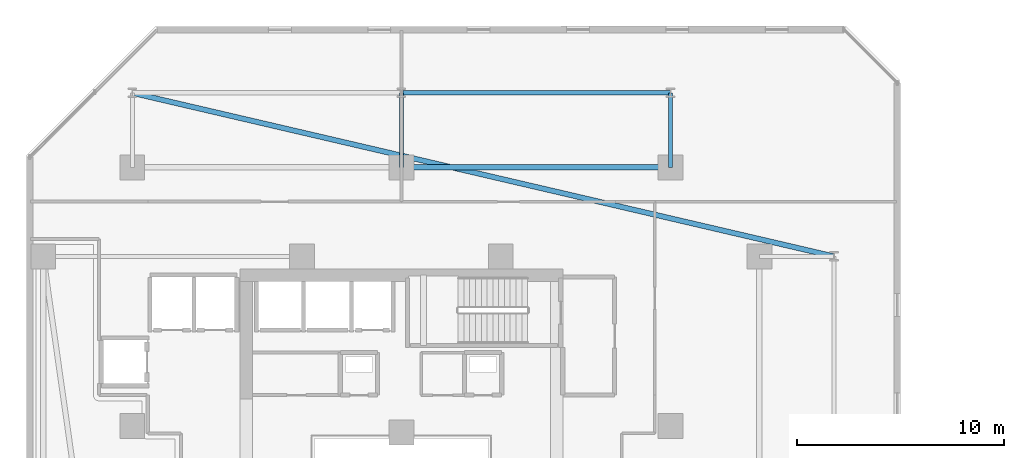
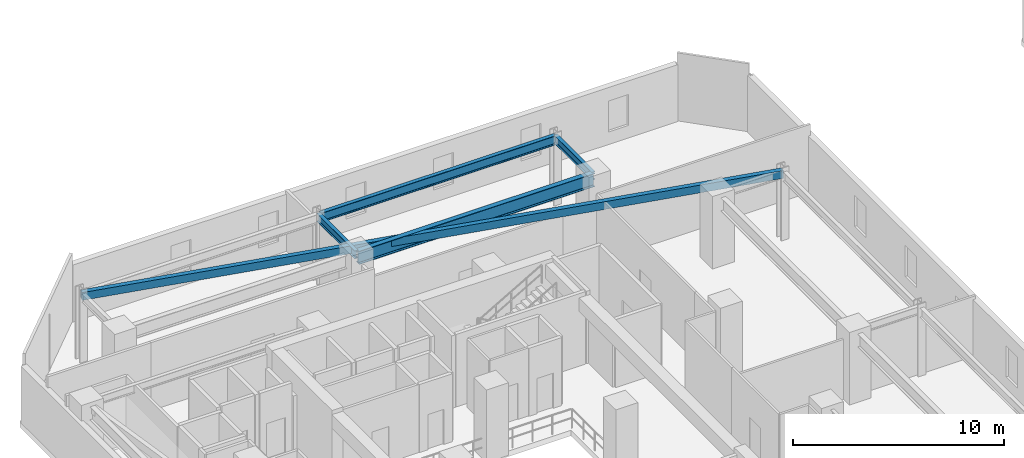
# One storey, part 9 of 30: 5 beams.
"""IFC4 building model written with IfcOpenShell, lengths in metres."""

from ifc_helpers import new_model, si_unit, direction, frame, origin, origin_2d, place, context, subcontext, project, spatial, hollow_rectangle, i_section, extrude, material, material_profile, profile_set, type_object, element, save


model = new_model("IFC4")

# Units and contexts
model_context = context("Model", 3, precision=1e-05, world=origin(), true_north=direction((0.0, 1.0)))
body_context = subcontext(model_context, "Body", "Model", "MODEL_VIEW")
ifc_project = project(units=[si_unit("LENGTHUNIT", "METRE"), si_unit("AREAUNIT", "SQUARE_METRE"), si_unit("VOLUMEUNIT", "CUBIC_METRE"), si_unit("PLANEANGLEUNIT", "RADIAN"), si_unit("MASSUNIT", "GRAM", prefix="KILO")], contexts=[model_context])

# Site, building, storey
site_placement = place(None, origin())
site = spatial("IfcSite", under=ifc_project, at=site_placement, CompositionType="ELEMENT")
building_placement = place(site_placement, origin())
building = spatial("IfcBuilding", under=site, at=building_placement, Name="Thornwick Lancets Civic Towers", CompositionType="ELEMENT")
storey_placement = place(building_placement, frame((0.0, 0.0, 75.89990234375)))
storey = spatial("IfcBuildingStorey", under=building, at=storey_placement, Name="L19", CompositionType="ELEMENT", Elevation=75.89990234375)

# Beams
ifc_material = material(Name="Steel S355JR", Category="steel")
ifc_material_profile_1 = material_profile(ifc_material, i_section(OverallWidth=0.2119140625, OverallDepth=0.54443359375, WebThickness=0.0126953125, FlangeThickness=0.021240234375, FilletRadius=0.0126953125, at=origin_2d()), Name="UKB 533x210x122")
ifc_profile_set_1 = profile_set([ifc_material_profile_1], Name="Steel S355JR")
beam_type_1 = type_object("IfcBeamType", Name="BM_EDGE_533_122", PredefinedType="SPANDREL", material=ifc_profile_set_1)
beam_1_placement = place(storey_placement, frame((25.580078125, 47.89990234375, 3.687744140625), z_axis=(1.0, 0.0, 0.0), x_axis=(0.0, 1.0, 0.0)))
element("IfcBeam", 1, at=beam_1_placement, inside=storey, type_object=beam_type_1, Name="BM-EDGE-L19-A-S2-2", PredefinedType="SPANDREL", context=body_context, shape_type="SweptSolid", body=[
    extrude(i_section(OverallWidth=0.2119140625, OverallDepth=0.54443359375, WebThickness=0.0126953125, FlangeThickness=0.021240234375, FilletRadius=0.0126953125, at=origin_2d()), origin(), (0.0, 0.0, 1.0), 12.919921875),
])
ifc_material_profile_2 = material_profile(ifc_material, i_section(OverallWidth=0.26806640625, OverallDepth=0.769775390625, WebThickness=0.015625, FlangeThickness=0.025390625, FilletRadius=0.0166015625, at=origin_2d()), Name="UKB 762x267x197")
ifc_profile_set_2 = profile_set([ifc_material_profile_2], Name="Steel S355JR")
beam_type_2 = type_object("IfcBeamType", Name="BM_GIRD_762_197", PredefinedType="BEAM", material=ifc_profile_set_2)
beam_2_placement = place(storey_placement, frame((25.580078125, 44.300048828125, 3.5751953125), z_axis=(1.0, 0.0, 0.0), x_axis=(0.0, 1.0, 0.0)))
element("IfcBeam", 2, at=beam_2_placement, inside=storey, type_object=beam_type_2, Name="BM-SPINE-L19-A-7-8", PredefinedType="BEAM", context=body_context, shape_type="SweptSolid", body=[
    extrude(i_section(OverallWidth=0.26806640625, OverallDepth=0.769775390625, WebThickness=0.015625, FlangeThickness=0.025390625, FilletRadius=0.0166015625, at=origin_2d()), origin(), (0.0, 0.0, 1.0), 12.919921875),
])
ifc_material_profile_3 = material_profile(ifc_material, i_section(OverallWidth=0.19189453125, OverallDepth=0.46337890625, WebThickness=0.010498046875, FlangeThickness=0.017578125, FilletRadius=0.01025390625, at=origin_2d()), Name="UKB 457x191x89")
ifc_profile_set_3 = profile_set([ifc_material_profile_3], Name="Steel S355JR")
beam_type_3 = type_object("IfcBeamType", Name="BM_JOIST_457_89", PredefinedType="JOIST", material=ifc_profile_set_3)
for number, where, z_axis, x_axis, name in (
    (3, (25.5, 44.300048828125, 3.728515625), (0.0, 1.0, 0.0), (-1.0, 0.0, 0.0), "BM-RAD-L19-A08"),
    (4, (38.5, 44.300048828125, 3.728515625), (0.0, 1.0, 0.0), (-1.0, 0.0, 0.0), "BM-RAD-L19-A09"),
):
    element("IfcBeam", number, at=place(storey_placement, frame(where, z_axis=z_axis, x_axis=x_axis)), inside=storey, type_object=beam_type_3, Name=name, PredefinedType="JOIST", context=body_context, shape_type="SweptSolid", body=[
        extrude(i_section(OverallWidth=0.19189453125, OverallDepth=0.46337890625, WebThickness=0.010498046875, FlangeThickness=0.017578125, FilletRadius=0.01025390625, at=origin_2d()), origin(), (0.0, 0.0, 1.0), 3.599853515625),
    ])
ifc_material_profile_4 = material_profile(ifc_material, hollow_rectangle(XDim=0.25, YDim=0.449951171875, WallThickness=0.01611328125, at=origin_2d()), Name="RHS 450x250x16")
ifc_profile_set_4 = profile_set([ifc_material_profile_4], Name="Steel S355JR")
beam_type_4 = type_object("IfcBeamType", Name="BM_RING_RHS450", PredefinedType="BEAM", material=ifc_profile_set_4)
beam_3_placement = place(storey_placement, frame((46.39990234375, 40.0, 3.735107421875), z_axis=(-0.973905219823, 0.226955111866, 0.0), x_axis=(-0.226955111866, -0.973905219823, 0.0)))
element("IfcBeam", 5, at=beam_3_placement, inside=storey, type_object=beam_type_4, Name="BM-CHAMF-L19-A-C1", PredefinedType="BEAM", context=body_context, shape_type="SweptSolid", body=[
    extrude(hollow_rectangle(XDim=0.25, YDim=0.449951171875, WallThickness=0.01611328125, at=origin_2d()), origin(), (0.0, 0.0, 1.0), 34.80810546875),
])

save(model, "model.ifc")
